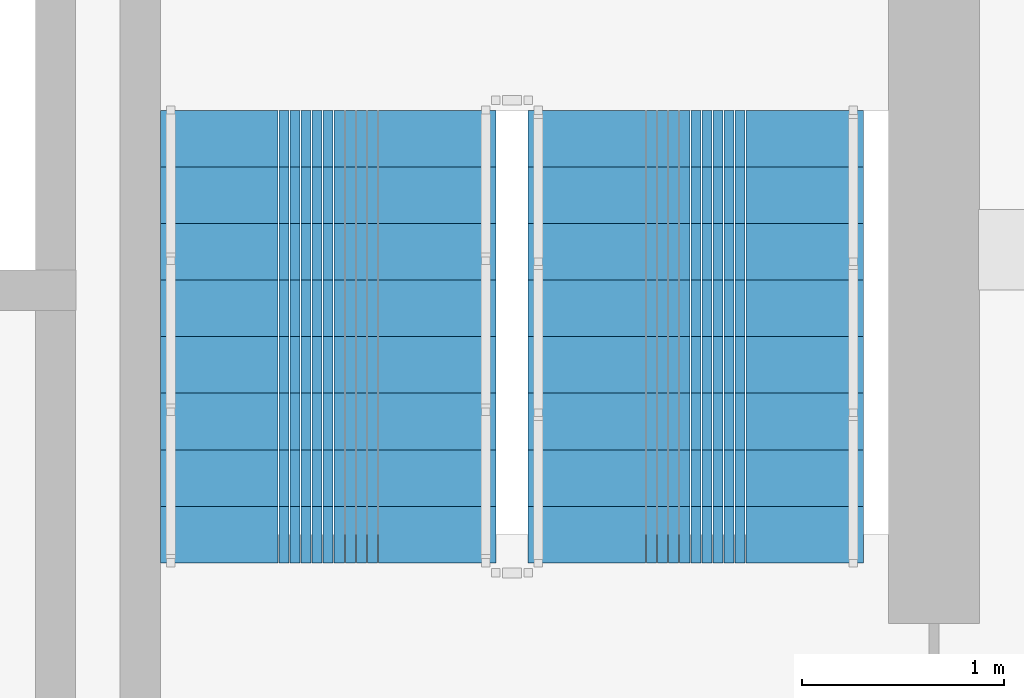
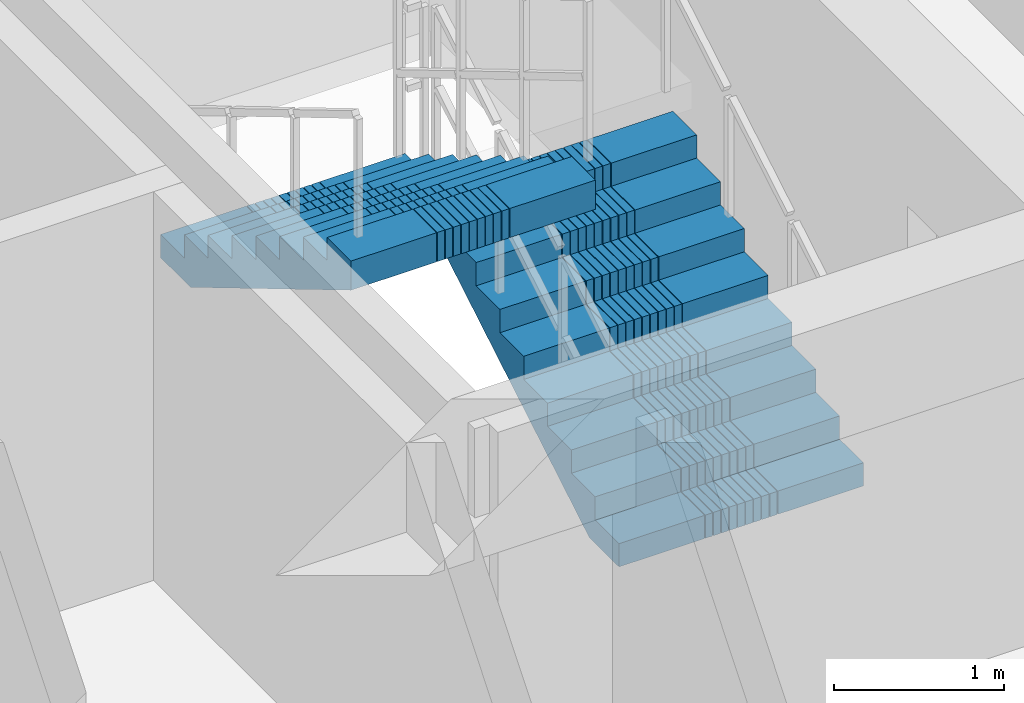
# One storey, part 8 of 13: 2 stair flights, 1 element without a shape of its own.
"""IFC4 building model written with IfcOpenShell, lengths in metres."""

from ifc_helpers import new_model, si_unit, direction, frame, origin, place, context, subcontext, project, spatial, polyline, outline, extrude, material, type_object, element, aggregate, save


model = new_model("IFC4")

# Units and contexts
model_context = context("Model", 3, precision=1e-05, world=origin(), true_north=direction((0.0, 1.0)))
body_context = subcontext(model_context, "Body", "Model", "MODEL_VIEW")
ifc_project = project(units=[si_unit("LENGTHUNIT", "METRE"), si_unit("AREAUNIT", "SQUARE_METRE"), si_unit("VOLUMEUNIT", "CUBIC_METRE"), si_unit("PLANEANGLEUNIT", "RADIAN"), si_unit("MASSUNIT", "GRAM", prefix="KILO")], contexts=[model_context])

# Site, building, storey
site_placement = place(None, origin())
site = spatial("IfcSite", under=ifc_project, at=site_placement, CompositionType="ELEMENT")
building_placement = place(site_placement, origin())
building = spatial("IfcBuilding", under=site, at=building_placement, Name="Saelheon Loggia Tower", CompositionType="ELEMENT")
storey_placement = place(building_placement, frame((0.0, 0.0, 189.699951171875)))
storey = spatial("IfcBuildingStorey", under=building, at=storey_placement, Name="L59", CompositionType="ELEMENT", Elevation=189.699951171875)

# Stair, stair flights
ifc_material = material(Name="Concrete C40/50", Category="concrete")
stair_type = type_object("IfcStairType", Name="Stair_Escape_Core", PredefinedType="HALF_TURN_STAIR", material=ifc_material)
stair_placement = place(storey_placement, origin())
stair = element("IfcStair", 1, at=stair_placement, inside=storey, type_object=stair_type, Name="L59 Special Escape Stair ST2", PredefinedType="HALF_TURN_STAIR")
stair_flight_type = type_object("IfcStairFlightType", Name="StairFlight_Tower_1660", PredefinedType="STRAIGHT", material=ifc_material)
stair_flight_1_placement = place(storey_placement, frame((43.320068359375, 30.449951171875, 0.0), z_axis=(0.0, 0.0, 1.0), x_axis=(0.0, 1.0, 0.0)))
stair_flight_1 = element("IfcStairFlight", 2, at=stair_flight_1_placement, type_object=stair_flight_type, Name="ST2 flight 1", NumberOfRisers=9, NumberOfTreads=8, PredefinedType="STRAIGHT", RiserHeight=0.166666667, TreadLength=0.28, context=body_context, shape_type="SweptSolid", body=[
    extrude(outline(polyline([(0.0, 0.0), (0.0, 0.166748046875), (0.280029296875, 0.166748046875), (0.280029296875, 0.333251953125), (0.56005859375, 0.333251953125), (0.56005859375, 0.5), (0.840087890625, 0.5), (0.840087890625, 0.666748046875), (1.1201171875, 0.666748046875), (1.1201171875, 0.833251953125), (1.39990234375, 0.833251953125), (1.39990234375, 1.0), (1.679931640625, 1.0), (1.679931640625, 1.166748046875), (1.9599609375, 1.166748046875), (1.9599609375, 1.333251953125), (2.239990234375, 1.333251953125), (2.239990234375, 1.5), (2.239990234375, 1.1240234375), (0.351806640625, 0.0), (0.0, 0.0)])), frame((0.0, -0.2490234375, 0.0), z_axis=(0.0, -1.0, 0.0), x_axis=(1.0, 0.0, 0.0)), (0.0, 0.0, 1.0), 0.5810546875),
    extrude(outline(polyline([(0.0, 0.0), (0.0, 0.166748046875), (0.280029296875, 0.166748046875), (0.280029296875, 0.333251953125), (0.56005859375, 0.333251953125), (0.56005859375, 0.5), (0.840087890625, 0.5), (0.840087890625, 0.666748046875), (1.1201171875, 0.666748046875), (1.1201171875, 0.833251953125), (1.39990234375, 0.833251953125), (1.39990234375, 1.0), (1.679931640625, 1.0), (1.679931640625, 1.166748046875), (1.9599609375, 1.166748046875), (1.9599609375, 1.333251953125), (2.239990234375, 1.333251953125), (2.239990234375, 1.5), (2.239990234375, 1.1240234375), (0.351806640625, 0.0), (0.0, 0.0)])), frame((0.0, -0.194091796875, 0.0), z_axis=(0.0, -1.0, 0.0), x_axis=(1.0, 0.0, 0.0)), (0.0, 0.0, 1.0), 0.0498046875),
    extrude(outline(polyline([(0.0, 0.0), (0.0, 0.166748046875), (0.280029296875, 0.166748046875), (0.280029296875, 0.333251953125), (0.56005859375, 0.333251953125), (0.56005859375, 0.5), (0.840087890625, 0.5), (0.840087890625, 0.666748046875), (1.1201171875, 0.666748046875), (1.1201171875, 0.833251953125), (1.39990234375, 0.833251953125), (1.39990234375, 1.0), (1.679931640625, 1.0), (1.679931640625, 1.166748046875), (1.9599609375, 1.166748046875), (1.9599609375, 1.333251953125), (2.239990234375, 1.333251953125), (2.239990234375, 1.5), (2.239990234375, 1.1240234375), (0.351806640625, 0.0), (0.0, 0.0)])), frame((0.0, -0.139404296875, 0.0), z_axis=(0.0, -1.0, 0.0), x_axis=(1.0, 0.0, 0.0)), (0.0, 0.0, 1.0), 0.0498046875),
    extrude(outline(polyline([(0.0, 0.0), (0.0, 0.166748046875), (0.280029296875, 0.166748046875), (0.280029296875, 0.333251953125), (0.56005859375, 0.333251953125), (0.56005859375, 0.5), (0.840087890625, 0.5), (0.840087890625, 0.666748046875), (1.1201171875, 0.666748046875), (1.1201171875, 0.833251953125), (1.39990234375, 0.833251953125), (1.39990234375, 1.0), (1.679931640625, 1.0), (1.679931640625, 1.166748046875), (1.9599609375, 1.166748046875), (1.9599609375, 1.333251953125), (2.239990234375, 1.333251953125), (2.239990234375, 1.5), (2.239990234375, 1.1240234375), (0.351806640625, 0.0), (0.0, 0.0)])), frame((0.0, -0.084716796875, 0.0), z_axis=(0.0, -1.0, 0.0), x_axis=(1.0, 0.0, 0.0)), (0.0, 0.0, 1.0), 0.0498046875),
    extrude(outline(polyline([(0.0, 0.0), (0.0, 0.166748046875), (0.280029296875, 0.166748046875), (0.280029296875, 0.333251953125), (0.56005859375, 0.333251953125), (0.56005859375, 0.5), (0.840087890625, 0.5), (0.840087890625, 0.666748046875), (1.1201171875, 0.666748046875), (1.1201171875, 0.833251953125), (1.39990234375, 0.833251953125), (1.39990234375, 1.0), (1.679931640625, 1.0), (1.679931640625, 1.166748046875), (1.9599609375, 1.166748046875), (1.9599609375, 1.333251953125), (2.239990234375, 1.333251953125), (2.239990234375, 1.5), (2.239990234375, 1.1240234375), (0.351806640625, 0.0), (0.0, 0.0)])), frame((0.0, -0.02978515625, 0.0), z_axis=(0.0, -1.0, 0.0), x_axis=(1.0, 0.0, 0.0)), (0.0, 0.0, 1.0), 0.0498046875),
    extrude(outline(polyline([(0.0, 0.0), (0.0, 0.166748046875), (0.280029296875, 0.166748046875), (0.280029296875, 0.333251953125), (0.56005859375, 0.333251953125), (0.56005859375, 0.5), (0.840087890625, 0.5), (0.840087890625, 0.666748046875), (1.1201171875, 0.666748046875), (1.1201171875, 0.833251953125), (1.39990234375, 0.833251953125), (1.39990234375, 1.0), (1.679931640625, 1.0), (1.679931640625, 1.166748046875), (1.9599609375, 1.166748046875), (1.9599609375, 1.333251953125), (2.239990234375, 1.333251953125), (2.239990234375, 1.5), (2.239990234375, 1.1240234375), (0.351806640625, 0.0), (0.0, 0.0)])), frame((0.0, 0.02490234375, 0.0), z_axis=(0.0, -1.0, 0.0), x_axis=(1.0, 0.0, 0.0)), (0.0, 0.0, 1.0), 0.0498046875),
    extrude(outline(polyline([(0.0, 0.0), (0.0, 0.166748046875), (0.280029296875, 0.166748046875), (0.280029296875, 0.333251953125), (0.56005859375, 0.333251953125), (0.56005859375, 0.5), (0.840087890625, 0.5), (0.840087890625, 0.666748046875), (1.1201171875, 0.666748046875), (1.1201171875, 0.833251953125), (1.39990234375, 0.833251953125), (1.39990234375, 1.0), (1.679931640625, 1.0), (1.679931640625, 1.166748046875), (1.9599609375, 1.166748046875), (1.9599609375, 1.333251953125), (2.239990234375, 1.333251953125), (2.239990234375, 1.5), (2.239990234375, 1.1240234375), (0.351806640625, 0.0), (0.0, 0.0)])), frame((0.0, 0.07958984375, 0.0), z_axis=(0.0, -1.0, 0.0), x_axis=(1.0, 0.0, 0.0)), (0.0, 0.0, 1.0), 0.0498046875),
    extrude(outline(polyline([(0.0, 0.0), (0.0, 0.166748046875), (0.280029296875, 0.166748046875), (0.280029296875, 0.333251953125), (0.56005859375, 0.333251953125), (0.56005859375, 0.5), (0.840087890625, 0.5), (0.840087890625, 0.666748046875), (1.1201171875, 0.666748046875), (1.1201171875, 0.833251953125), (1.39990234375, 0.833251953125), (1.39990234375, 1.0), (1.679931640625, 1.0), (1.679931640625, 1.166748046875), (1.9599609375, 1.166748046875), (1.9599609375, 1.333251953125), (2.239990234375, 1.333251953125), (2.239990234375, 1.5), (2.239990234375, 1.1240234375), (0.351806640625, 0.0), (0.0, 0.0)])), frame((0.0, 0.134521484375, 0.0), z_axis=(0.0, -1.0, 0.0), x_axis=(1.0, 0.0, 0.0)), (0.0, 0.0, 1.0), 0.0498046875),
    extrude(outline(polyline([(0.0, 0.0), (0.0, 0.166748046875), (0.280029296875, 0.166748046875), (0.280029296875, 0.333251953125), (0.56005859375, 0.333251953125), (0.56005859375, 0.5), (0.840087890625, 0.5), (0.840087890625, 0.666748046875), (1.1201171875, 0.666748046875), (1.1201171875, 0.833251953125), (1.39990234375, 0.833251953125), (1.39990234375, 1.0), (1.679931640625, 1.0), (1.679931640625, 1.166748046875), (1.9599609375, 1.166748046875), (1.9599609375, 1.333251953125), (2.239990234375, 1.333251953125), (2.239990234375, 1.5), (2.239990234375, 1.1240234375), (0.351806640625, 0.0), (0.0, 0.0)])), frame((0.0, 0.189208984375, 0.0), z_axis=(0.0, -1.0, 0.0), x_axis=(1.0, 0.0, 0.0)), (0.0, 0.0, 1.0), 0.0498046875),
    extrude(outline(polyline([(0.0, 0.0), (0.0, 0.166748046875), (0.280029296875, 0.166748046875), (0.280029296875, 0.333251953125), (0.56005859375, 0.333251953125), (0.56005859375, 0.5), (0.840087890625, 0.5), (0.840087890625, 0.666748046875), (1.1201171875, 0.666748046875), (1.1201171875, 0.833251953125), (1.39990234375, 0.833251953125), (1.39990234375, 1.0), (1.679931640625, 1.0), (1.679931640625, 1.166748046875), (1.9599609375, 1.166748046875), (1.9599609375, 1.333251953125), (2.239990234375, 1.333251953125), (2.239990234375, 1.5), (2.239990234375, 1.1240234375), (0.351806640625, 0.0), (0.0, 0.0)])), frame((0.0, 0.243896484375, 0.0), z_axis=(0.0, -1.0, 0.0), x_axis=(1.0, 0.0, 0.0)), (0.0, 0.0, 1.0), 0.0498046875),
    extrude(outline(polyline([(0.0, 0.0), (0.0, 0.166748046875), (0.280029296875, 0.166748046875), (0.280029296875, 0.333251953125), (0.56005859375, 0.333251953125), (0.56005859375, 0.5), (0.840087890625, 0.5), (0.840087890625, 0.666748046875), (1.1201171875, 0.666748046875), (1.1201171875, 0.833251953125), (1.39990234375, 0.833251953125), (1.39990234375, 1.0), (1.679931640625, 1.0), (1.679931640625, 1.166748046875), (1.9599609375, 1.166748046875), (1.9599609375, 1.333251953125), (2.239990234375, 1.333251953125), (2.239990234375, 1.5), (2.239990234375, 1.1240234375), (0.351806640625, 0.0), (0.0, 0.0)])), frame((0.0, 0.830078125, 0.0), z_axis=(0.0, -1.0, 0.0), x_axis=(1.0, 0.0, 0.0)), (0.0, 0.0, 1.0), 0.5810546875),
])
stair_flight_2_placement = place(storey_placement, frame((41.5, 32.68994140625, 1.5), z_axis=(0.0, 0.0, 1.0), x_axis=(0.0, -1.0, 0.0)))
stair_flight_2 = element("IfcStairFlight", 3, at=stair_flight_2_placement, type_object=stair_flight_type, Name="ST2 flight 2", NumberOfRisers=9, NumberOfTreads=8, PredefinedType="STRAIGHT", RiserHeight=0.166666667, TreadLength=0.28, context=body_context, shape_type="SweptSolid", body=[
    extrude(outline(polyline([(0.0, 0.0), (0.0, 0.166748046875), (0.280029296875, 0.166748046875), (0.280029296875, 0.333251953125), (0.56005859375, 0.333251953125), (0.56005859375, 0.5), (0.840087890625, 0.5), (0.840087890625, 0.666748046875), (1.1201171875, 0.666748046875), (1.1201171875, 0.833251953125), (1.39990234375, 0.833251953125), (1.39990234375, 1.0), (1.679931640625, 1.0), (1.679931640625, 1.166748046875), (1.9599609375, 1.166748046875), (1.9599609375, 1.333251953125), (2.239990234375, 1.333251953125), (2.239990234375, 1.5), (2.239990234375, 1.1240234375), (0.351806640625, 0.0), (0.0, 0.0)])), frame((0.0, -0.2490234375, 0.0), z_axis=(0.0, -1.0, 0.0), x_axis=(1.0, 0.0, 0.0)), (0.0, 0.0, 1.0), 0.5810546875),
    extrude(outline(polyline([(0.0, 0.0), (0.0, 0.166748046875), (0.280029296875, 0.166748046875), (0.280029296875, 0.333251953125), (0.56005859375, 0.333251953125), (0.56005859375, 0.5), (0.840087890625, 0.5), (0.840087890625, 0.666748046875), (1.1201171875, 0.666748046875), (1.1201171875, 0.833251953125), (1.39990234375, 0.833251953125), (1.39990234375, 1.0), (1.679931640625, 1.0), (1.679931640625, 1.166748046875), (1.9599609375, 1.166748046875), (1.9599609375, 1.333251953125), (2.239990234375, 1.333251953125), (2.239990234375, 1.5), (2.239990234375, 1.1240234375), (0.351806640625, 0.0), (0.0, 0.0)])), frame((0.0, -0.194091796875, 0.0), z_axis=(0.0, -1.0, 0.0), x_axis=(1.0, 0.0, 0.0)), (0.0, 0.0, 1.0), 0.0498046875),
    extrude(outline(polyline([(0.0, 0.0), (0.0, 0.166748046875), (0.280029296875, 0.166748046875), (0.280029296875, 0.333251953125), (0.56005859375, 0.333251953125), (0.56005859375, 0.5), (0.840087890625, 0.5), (0.840087890625, 0.666748046875), (1.1201171875, 0.666748046875), (1.1201171875, 0.833251953125), (1.39990234375, 0.833251953125), (1.39990234375, 1.0), (1.679931640625, 1.0), (1.679931640625, 1.166748046875), (1.9599609375, 1.166748046875), (1.9599609375, 1.333251953125), (2.239990234375, 1.333251953125), (2.239990234375, 1.5), (2.239990234375, 1.1240234375), (0.351806640625, 0.0), (0.0, 0.0)])), frame((0.0, -0.139404296875, 0.0), z_axis=(0.0, -1.0, 0.0), x_axis=(1.0, 0.0, 0.0)), (0.0, 0.0, 1.0), 0.0498046875),
    extrude(outline(polyline([(0.0, 0.0), (0.0, 0.166748046875), (0.280029296875, 0.166748046875), (0.280029296875, 0.333251953125), (0.56005859375, 0.333251953125), (0.56005859375, 0.5), (0.840087890625, 0.5), (0.840087890625, 0.666748046875), (1.1201171875, 0.666748046875), (1.1201171875, 0.833251953125), (1.39990234375, 0.833251953125), (1.39990234375, 1.0), (1.679931640625, 1.0), (1.679931640625, 1.166748046875), (1.9599609375, 1.166748046875), (1.9599609375, 1.333251953125), (2.239990234375, 1.333251953125), (2.239990234375, 1.5), (2.239990234375, 1.1240234375), (0.351806640625, 0.0), (0.0, 0.0)])), frame((0.0, -0.084716796875, 0.0), z_axis=(0.0, -1.0, 0.0), x_axis=(1.0, 0.0, 0.0)), (0.0, 0.0, 1.0), 0.0498046875),
    extrude(outline(polyline([(0.0, 0.0), (0.0, 0.166748046875), (0.280029296875, 0.166748046875), (0.280029296875, 0.333251953125), (0.56005859375, 0.333251953125), (0.56005859375, 0.5), (0.840087890625, 0.5), (0.840087890625, 0.666748046875), (1.1201171875, 0.666748046875), (1.1201171875, 0.833251953125), (1.39990234375, 0.833251953125), (1.39990234375, 1.0), (1.679931640625, 1.0), (1.679931640625, 1.166748046875), (1.9599609375, 1.166748046875), (1.9599609375, 1.333251953125), (2.239990234375, 1.333251953125), (2.239990234375, 1.5), (2.239990234375, 1.1240234375), (0.351806640625, 0.0), (0.0, 0.0)])), frame((0.0, -0.02978515625, 0.0), z_axis=(0.0, -1.0, 0.0), x_axis=(1.0, 0.0, 0.0)), (0.0, 0.0, 1.0), 0.0498046875),
    extrude(outline(polyline([(0.0, 0.0), (0.0, 0.166748046875), (0.280029296875, 0.166748046875), (0.280029296875, 0.333251953125), (0.56005859375, 0.333251953125), (0.56005859375, 0.5), (0.840087890625, 0.5), (0.840087890625, 0.666748046875), (1.1201171875, 0.666748046875), (1.1201171875, 0.833251953125), (1.39990234375, 0.833251953125), (1.39990234375, 1.0), (1.679931640625, 1.0), (1.679931640625, 1.166748046875), (1.9599609375, 1.166748046875), (1.9599609375, 1.333251953125), (2.239990234375, 1.333251953125), (2.239990234375, 1.5), (2.239990234375, 1.1240234375), (0.351806640625, 0.0), (0.0, 0.0)])), frame((0.0, 0.02490234375, 0.0), z_axis=(0.0, -1.0, 0.0), x_axis=(1.0, 0.0, 0.0)), (0.0, 0.0, 1.0), 0.0498046875),
    extrude(outline(polyline([(0.0, 0.0), (0.0, 0.166748046875), (0.280029296875, 0.166748046875), (0.280029296875, 0.333251953125), (0.56005859375, 0.333251953125), (0.56005859375, 0.5), (0.840087890625, 0.5), (0.840087890625, 0.666748046875), (1.1201171875, 0.666748046875), (1.1201171875, 0.833251953125), (1.39990234375, 0.833251953125), (1.39990234375, 1.0), (1.679931640625, 1.0), (1.679931640625, 1.166748046875), (1.9599609375, 1.166748046875), (1.9599609375, 1.333251953125), (2.239990234375, 1.333251953125), (2.239990234375, 1.5), (2.239990234375, 1.1240234375), (0.351806640625, 0.0), (0.0, 0.0)])), frame((0.0, 0.07958984375, 0.0), z_axis=(0.0, -1.0, 0.0), x_axis=(1.0, 0.0, 0.0)), (0.0, 0.0, 1.0), 0.0498046875),
    extrude(outline(polyline([(0.0, 0.0), (0.0, 0.166748046875), (0.280029296875, 0.166748046875), (0.280029296875, 0.333251953125), (0.56005859375, 0.333251953125), (0.56005859375, 0.5), (0.840087890625, 0.5), (0.840087890625, 0.666748046875), (1.1201171875, 0.666748046875), (1.1201171875, 0.833251953125), (1.39990234375, 0.833251953125), (1.39990234375, 1.0), (1.679931640625, 1.0), (1.679931640625, 1.166748046875), (1.9599609375, 1.166748046875), (1.9599609375, 1.333251953125), (2.239990234375, 1.333251953125), (2.239990234375, 1.5), (2.239990234375, 1.1240234375), (0.351806640625, 0.0), (0.0, 0.0)])), frame((0.0, 0.134521484375, 0.0), z_axis=(0.0, -1.0, 0.0), x_axis=(1.0, 0.0, 0.0)), (0.0, 0.0, 1.0), 0.0498046875),
    extrude(outline(polyline([(0.0, 0.0), (0.0, 0.166748046875), (0.280029296875, 0.166748046875), (0.280029296875, 0.333251953125), (0.56005859375, 0.333251953125), (0.56005859375, 0.5), (0.840087890625, 0.5), (0.840087890625, 0.666748046875), (1.1201171875, 0.666748046875), (1.1201171875, 0.833251953125), (1.39990234375, 0.833251953125), (1.39990234375, 1.0), (1.679931640625, 1.0), (1.679931640625, 1.166748046875), (1.9599609375, 1.166748046875), (1.9599609375, 1.333251953125), (2.239990234375, 1.333251953125), (2.239990234375, 1.5), (2.239990234375, 1.1240234375), (0.351806640625, 0.0), (0.0, 0.0)])), frame((0.0, 0.189208984375, 0.0), z_axis=(0.0, -1.0, 0.0), x_axis=(1.0, 0.0, 0.0)), (0.0, 0.0, 1.0), 0.0498046875),
    extrude(outline(polyline([(0.0, 0.0), (0.0, 0.166748046875), (0.280029296875, 0.166748046875), (0.280029296875, 0.333251953125), (0.56005859375, 0.333251953125), (0.56005859375, 0.5), (0.840087890625, 0.5), (0.840087890625, 0.666748046875), (1.1201171875, 0.666748046875), (1.1201171875, 0.833251953125), (1.39990234375, 0.833251953125), (1.39990234375, 1.0), (1.679931640625, 1.0), (1.679931640625, 1.166748046875), (1.9599609375, 1.166748046875), (1.9599609375, 1.333251953125), (2.239990234375, 1.333251953125), (2.239990234375, 1.5), (2.239990234375, 1.1240234375), (0.351806640625, 0.0), (0.0, 0.0)])), frame((0.0, 0.243896484375, 0.0), z_axis=(0.0, -1.0, 0.0), x_axis=(1.0, 0.0, 0.0)), (0.0, 0.0, 1.0), 0.0498046875),
    extrude(outline(polyline([(0.0, 0.0), (0.0, 0.166748046875), (0.280029296875, 0.166748046875), (0.280029296875, 0.333251953125), (0.56005859375, 0.333251953125), (0.56005859375, 0.5), (0.840087890625, 0.5), (0.840087890625, 0.666748046875), (1.1201171875, 0.666748046875), (1.1201171875, 0.833251953125), (1.39990234375, 0.833251953125), (1.39990234375, 1.0), (1.679931640625, 1.0), (1.679931640625, 1.166748046875), (1.9599609375, 1.166748046875), (1.9599609375, 1.333251953125), (2.239990234375, 1.333251953125), (2.239990234375, 1.5), (2.239990234375, 1.1240234375), (0.351806640625, 0.0), (0.0, 0.0)])), frame((0.0, 0.830078125, 0.0), z_axis=(0.0, -1.0, 0.0), x_axis=(1.0, 0.0, 0.0)), (0.0, 0.0, 1.0), 0.5810546875),
])
aggregate(stair, [stair_flight_1, stair_flight_2])

save(model, "model.ifc")
